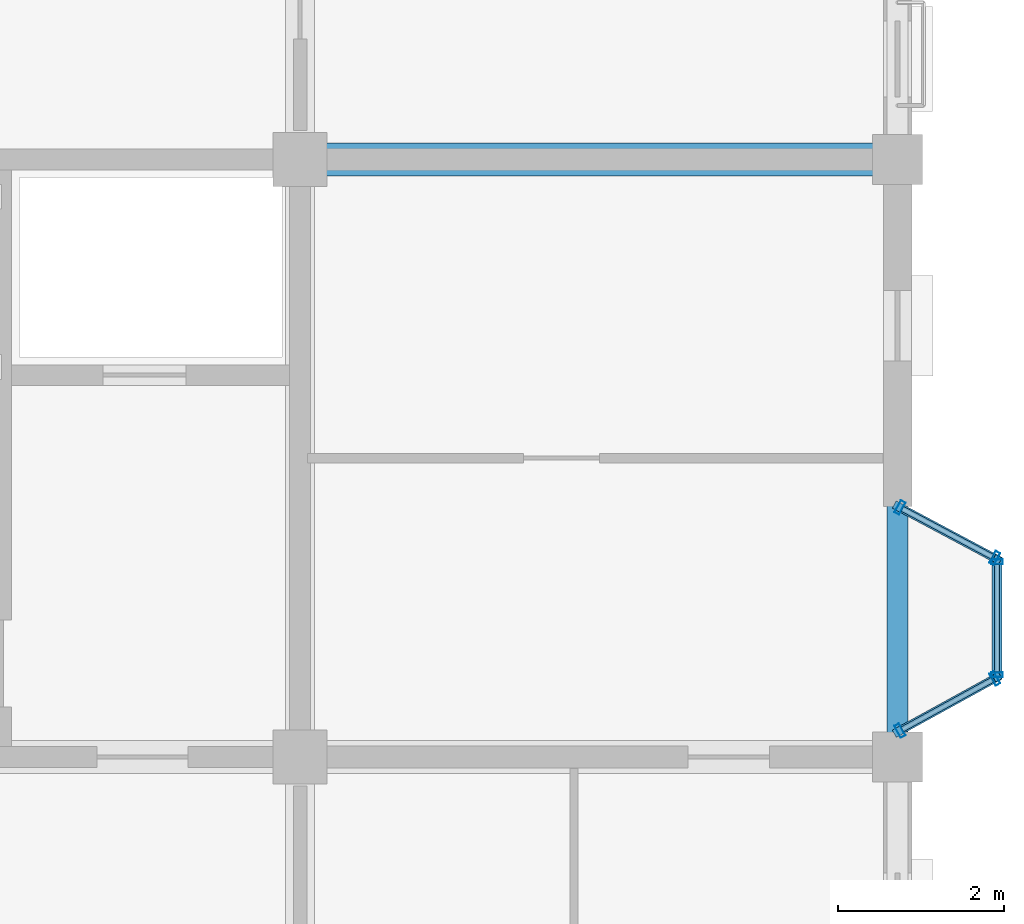
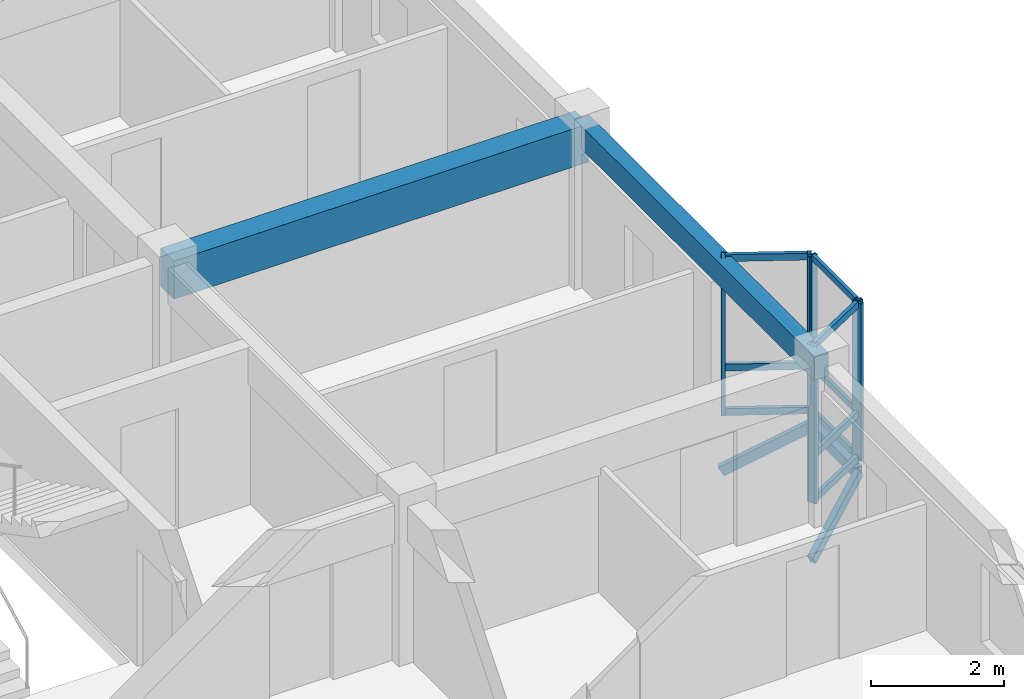
# One storey, part 55 of 124: 18 members, 2 beams, 3 elements without a shape of their own.
"""IFC4 building model written with IfcOpenShell, lengths in metres."""

from ifc_helpers import new_model, si_unit, direction, frame, origin, origin_2d, place, context, subcontext, project, spatial, rectangle, hollow_rectangle, extrude, material, layer, layer_set, material_profile, profile_set, type_object, element, aggregate, save


model = new_model("IFC4")

# Units and contexts
model_context = context("Model", 3, precision=1e-05, world=origin(), true_north=direction((0.0, 1.0)))
body_context = subcontext(model_context, "Body", "Model", "MODEL_VIEW")
ifc_project = project(units=[si_unit("LENGTHUNIT", "METRE"), si_unit("AREAUNIT", "SQUARE_METRE"), si_unit("VOLUMEUNIT", "CUBIC_METRE"), si_unit("PLANEANGLEUNIT", "RADIAN"), si_unit("MASSUNIT", "GRAM", prefix="KILO"), si_unit("THERMODYNAMICTEMPERATUREUNIT", "KELVIN"), si_unit("POWERUNIT", "WATT")], contexts=[model_context])

# Site, building, storey
site_placement = place(None, origin())
site = spatial("IfcSite", under=ifc_project, at=site_placement, CompositionType="ELEMENT")
building_placement = place(site_placement, origin())
building = spatial("IfcBuilding", under=site, at=building_placement, Name="Tavuni Mirador Residences", CompositionType="ELEMENT")
storey_placement = place(building_placement, frame((0.0, 0.0, 7.64990234375)))
storey = spatial("IfcBuildingStorey", under=building, at=storey_placement, Name="L02", CompositionType="ELEMENT", Elevation=7.64990234375)

# Beams
ifc_material_1 = material(Name="Precast concrete C40/50", Category="concrete")
ifc_material_profile_1 = material_profile(ifc_material_1, rectangle(XDim=0.39990234375, YDim=0.699951171875, at=origin_2d()), Name="PC 400x700", Category="concrete")
ifc_profile_set_1 = profile_set([ifc_material_profile_1], Name="Precast concrete C40/50")
beam_type_1 = type_object("IfcBeamType", Name="BT-B700", PredefinedType="BEAM", material=ifc_profile_set_1)
beam_1_placement = place(storey_placement, frame((111.60009765625, 115.199951171875, 2.5400390625), z_axis=(1.0, 0.0, 0.0), x_axis=(0.0, 1.0, 0.0)))
element("IfcBeam", 1, at=beam_1_placement, inside=storey, type_object=beam_type_1, Name="BMX-BLK-D-L02-03-04", PredefinedType="BEAM", context=body_context, shape_type="SweptSolid", body=[
    extrude(rectangle(XDim=0.39990234375, YDim=0.699951171875, at=origin_2d()), origin(), (0.0, 0.0, 1.0), 7.199951171875),
])
ifc_material_profile_2 = material_profile(ifc_material_1, rectangle(XDim=0.25, YDim=0.419921875, at=origin_2d()), Name="PC 250x420", Category="concrete")
ifc_profile_set_2 = profile_set([ifc_material_profile_2], Name="Precast concrete C40/50")
beam_type_2 = type_object("IfcBeamType", Name="BT-SP420", PredefinedType="SPANDREL", material=ifc_profile_set_2)
beam_2_placement = place(storey_placement, frame((118.800048828125, 108.0, 2.68017578125), z_axis=(0.0, 1.0, 0.0), x_axis=(-1.0, 0.0, 0.0)))
element("IfcBeam", 2, at=beam_2_placement, inside=storey, type_object=beam_type_2, Name="BMY-BLK-D-L02-04-03", PredefinedType="SPANDREL", context=body_context, shape_type="SweptSolid", body=[
    extrude(rectangle(XDim=0.25, YDim=0.419921875, at=origin_2d()), origin(), (0.0, 0.0, 1.0), 7.199951171875),
])

# Curtain wall, members
ifc_material_2 = material(Name="Anodised aluminium", Category="aluminium")
ifc_layer_1 = layer(ifc_material_2, 0.175048828125, Name="Anodised aluminium", Category="aluminium")
ifc_layer_set_1 = layer_set([ifc_layer_1], Name="Anodised aluminium")
curtain_wall_type_1 = type_object("IfcCurtainWallType", Name="CWT-MIR-C", PredefinedType="NOTDEFINED", material=ifc_layer_set_1)
curtain_wall_1_placement = place(storey_placement, origin())
curtain_wall_1 = element("IfcCurtainWall", 3, at=curtain_wall_1_placement, inside=storey, type_object=curtain_wall_type_1, Name="CW-MIR-D-E2-L02-MF", PredefinedType="NOTDEFINED")
ifc_material_profile_3 = material_profile(ifc_material_2, hollow_rectangle(XDim=0.06005859375, YDim=0.139892578125, WallThickness=0.00390625, at=origin_2d()), Name="ALU 60x140x4.0", Category="aluminium")
ifc_profile_set_3 = profile_set([ifc_material_profile_3], Name="Anodised aluminium")
member_type_1 = type_object("IfcMemberType", Name="CWM-140", PredefinedType="MULLION", material=ifc_profile_set_3)
member_1_placement = place(storey_placement, frame((120.0, 108.989990234375, 0.0), z_axis=(0.0, 0.0, 1.0), x_axis=(0.0, 1.0, 0.0)))
member_1 = element("IfcMember", 4, at=member_1_placement, type_object=member_type_1, Name="CW-03 mullion 1", PredefinedType="MULLION", context=body_context, shape_type="SweptSolid", body=[
    extrude(hollow_rectangle(XDim=0.06005859375, YDim=0.139892578125, WallThickness=0.00390625, at=origin_2d()), origin(), (0.0, 0.0, 1.0), 2.89013671875),
])
member_2_placement = place(storey_placement, frame((120.0, 110.35009765625, 0.0), z_axis=(0.0, 0.0, 1.0), x_axis=(0.0, 1.0, 0.0)))
member_2 = element("IfcMember", 5, at=member_2_placement, type_object=member_type_1, Name="CW-03 mullion 2", PredefinedType="MULLION", context=body_context, shape_type="SweptSolid", body=[
    extrude(hollow_rectangle(XDim=0.06005859375, YDim=0.139892578125, WallThickness=0.00390625, at=origin_2d()), origin(), (0.0, 0.0, 1.0), 2.89013671875),
])

ifc_layer_2 = layer(ifc_material_2, 0.14990234375, Name="Anodised aluminium", Category="aluminium")
ifc_layer_set_2 = layer_set([ifc_layer_2], Name="Anodised aluminium")
curtain_wall_type_2 = type_object("IfcCurtainWallType", Name="CWT-MIR-B", PredefinedType="NOTDEFINED", material=ifc_layer_set_2)
curtain_wall_2_placement = place(storey_placement, origin())
curtain_wall_2 = element("IfcCurtainWall", 6, at=curtain_wall_2_placement, inside=storey, type_object=curtain_wall_type_2, Name="CW-MIR-D-E2-L02-M1", PredefinedType="NOTDEFINED")
ifc_material_profile_4 = material_profile(ifc_material_2, hollow_rectangle(XDim=0.06494140625, YDim=0.1650390625, WallThickness=0.00439453125, at=origin_2d()), Name="ALU 65x165x4.5", Category="aluminium")
ifc_profile_set_4 = profile_set([ifc_material_profile_4], Name="Anodised aluminium")
member_type_2 = type_object("IfcMemberType", Name="CWM-165", PredefinedType="MULLION", material=ifc_profile_set_4)
member_3_placement = place(storey_placement, frame((118.828369140625, 108.315673828125, 0.0), z_axis=(0.0, 0.0, 1.0), x_axis=(0.876215908676, 0.481918749773, 0.0)))
member_3 = element("IfcMember", 7, at=member_3_placement, type_object=member_type_2, Name="CW-02 mullion 1", PredefinedType="MULLION", context=body_context, shape_type="SweptSolid", body=[
    extrude(hollow_rectangle(XDim=0.06494140625, YDim=0.1650390625, WallThickness=0.00439453125, at=origin_2d()), origin(), (0.0, 0.0, 1.0), 2.89013671875),
])
member_4_placement = place(storey_placement, frame((119.971435546875, 108.9443359375, 0.0), z_axis=(0.0, 0.0, 1.0), x_axis=(0.876215908676, 0.481918749773, 0.0)))
member_4 = element("IfcMember", 8, at=member_4_placement, type_object=member_type_2, Name="CW-02 mullion 2", PredefinedType="MULLION", context=body_context, shape_type="SweptSolid", body=[
    extrude(hollow_rectangle(XDim=0.06494140625, YDim=0.1650390625, WallThickness=0.00439453125, at=origin_2d()), origin(), (0.0, 0.0, 1.0), 2.89013671875),
])

ifc_layer_3 = layer(ifc_material_2, 0.159912109375, Name="Anodised aluminium", Category="aluminium")
ifc_layer_set_3 = layer_set([ifc_layer_3], Name="Anodised aluminium")
curtain_wall_type_3 = type_object("IfcCurtainWallType", Name="CWT-MIR-D", PredefinedType="NOTDEFINED", material=ifc_layer_set_3)
curtain_wall_3_placement = place(storey_placement, origin())
curtain_wall_3 = element("IfcCurtainWall", 9, at=curtain_wall_3_placement, inside=storey, type_object=curtain_wall_type_3, Name="CW-MIR-D-E2-L02-M2", PredefinedType="NOTDEFINED")
member_5_placement = place(storey_placement, frame((119.971435546875, 110.395263671875, 0.0), z_axis=(0.0, 0.0, 1.0), x_axis=(-0.882352941175, 0.470588235296, 0.0)))
member_5 = element("IfcMember", 10, at=member_5_placement, type_object=member_type_2, Name="CW-04 mullion 1", PredefinedType="MULLION", context=body_context, shape_type="SweptSolid", body=[
    extrude(hollow_rectangle(XDim=0.06494140625, YDim=0.1650390625, WallThickness=0.00439453125, at=origin_2d()), origin(), (0.0, 0.0, 1.0), 2.89013671875),
])
member_6_placement = place(storey_placement, frame((118.82861328125, 111.004638671875, 0.0), z_axis=(0.0, 0.0, 1.0), x_axis=(-0.882352941175, 0.470588235296, 0.0)))
member_6 = element("IfcMember", 11, at=member_6_placement, type_object=member_type_2, Name="CW-04 mullion 2", PredefinedType="MULLION", context=body_context, shape_type="SweptSolid", body=[
    extrude(hollow_rectangle(XDim=0.06494140625, YDim=0.1650390625, WallThickness=0.00439453125, at=origin_2d()), origin(), (0.0, 0.0, 1.0), 2.89013671875),
])

# Member
ifc_material_profile_5 = material_profile(ifc_material_2, hollow_rectangle(XDim=0.06005859375, YDim=0.110107421875, WallThickness=0.00390625, at=origin_2d()), Name="ALU 60x110x4.0", Category="aluminium")
ifc_profile_set_5 = profile_set([ifc_material_profile_5], Name="Anodised aluminium")
member_type_3 = type_object("IfcMemberType", Name="CWT-110", PredefinedType="USERDEFINED", material=ifc_profile_set_5)
member_7_placement = place(storey_placement, frame((120.0, 109.02001953125, 0.030029296875), z_axis=(0.0, 1.0, 0.0), x_axis=(-1.0, 0.0, 0.0)))
member_7 = element("IfcMember", 12, at=member_7_placement, type_object=member_type_3, Name="CW-03 transom 1.1", ObjectType="TRANSOM", PredefinedType="USERDEFINED", context=body_context, shape_type="SweptSolid", body=[
    extrude(hollow_rectangle(XDim=0.06005859375, YDim=0.110107421875, WallThickness=0.00390625, at=origin_2d()), origin(), (0.0, 0.0, 1.0), 1.300048828125),
])

member_8_placement = place(storey_placement, frame((120.0, 109.02001953125, 0.85009765625), z_axis=(0.0, 1.0, 0.0), x_axis=(-1.0, 0.0, 0.0)))
member_8 = element("IfcMember", 13, at=member_8_placement, type_object=member_type_3, Name="CW-03 transom 1.2", ObjectType="TRANSOM", PredefinedType="USERDEFINED", context=body_context, shape_type="SweptSolid", body=[
    extrude(hollow_rectangle(XDim=0.06005859375, YDim=0.110107421875, WallThickness=0.00390625, at=origin_2d()), origin(), (0.0, 0.0, 1.0), 1.300048828125),
])

member_9_placement = place(storey_placement, frame((120.0, 109.02001953125, 2.860107421875), z_axis=(0.0, 1.0, 0.0), x_axis=(-1.0, 0.0, 0.0)))
member_9 = element("IfcMember", 14, at=member_9_placement, type_object=member_type_3, Name="CW-03 transom 1.3", ObjectType="TRANSOM", PredefinedType="USERDEFINED", context=body_context, shape_type="SweptSolid", body=[
    extrude(hollow_rectangle(XDim=0.06005859375, YDim=0.110107421875, WallThickness=0.00390625, at=origin_2d()), origin(), (0.0, 0.0, 1.0), 1.300048828125),
])

aggregate(curtain_wall_1, [member_1, member_2, member_7, member_8, member_9])

ifc_material_profile_6 = material_profile(ifc_material_2, hollow_rectangle(XDim=0.06494140625, YDim=0.125, WallThickness=0.00439453125, at=origin_2d()), Name="ALU 65x125x4.5", Category="aluminium")
ifc_profile_set_6 = profile_set([ifc_material_profile_6], Name="Anodised aluminium")
member_type_4 = type_object("IfcMemberType", Name="CWT-125", PredefinedType="USERDEFINED", material=ifc_profile_set_6)
member_10_placement = place(storey_placement, frame((118.85693359375, 108.331298828125, 0.03271484375), z_axis=(0.87621175048, 0.481926310053, 0.0), x_axis=(-0.481926310053, 0.87621175048, 0.0)))
member_10 = element("IfcMember", 15, at=member_10_placement, type_object=member_type_4, Name="CW-02 transom 1.1", ObjectType="TRANSOM", PredefinedType="USERDEFINED", context=body_context, shape_type="SweptSolid", body=[
    extrude(hollow_rectangle(XDim=0.06494140625, YDim=0.125, WallThickness=0.00439453125, at=origin_2d()), origin(), (0.0, 0.0, 1.0), 1.23974609375),
])

member_11_placement = place(storey_placement, frame((118.85693359375, 108.331298828125, 0.85009765625), z_axis=(0.87621175048, 0.481926310053, 0.0), x_axis=(-0.481926310053, 0.87621175048, 0.0)))
member_11 = element("IfcMember", 16, at=member_11_placement, type_object=member_type_4, Name="CW-02 transom 1.2", ObjectType="TRANSOM", PredefinedType="USERDEFINED", context=body_context, shape_type="SweptSolid", body=[
    extrude(hollow_rectangle(XDim=0.06494140625, YDim=0.125, WallThickness=0.00439453125, at=origin_2d()), origin(), (0.0, 0.0, 1.0), 1.23974609375),
])

member_12_placement = place(storey_placement, frame((118.85693359375, 108.331298828125, 2.857666015625), z_axis=(0.87621175048, 0.481926310053, 0.0), x_axis=(-0.481926310053, 0.87621175048, 0.0)))
member_12 = element("IfcMember", 17, at=member_12_placement, type_object=member_type_4, Name="CW-02 transom 1.3", ObjectType="TRANSOM", PredefinedType="USERDEFINED", context=body_context, shape_type="SweptSolid", body=[
    extrude(hollow_rectangle(XDim=0.06494140625, YDim=0.125, WallThickness=0.00439453125, at=origin_2d()), origin(), (0.0, 0.0, 1.0), 1.23974609375),
])

aggregate(curtain_wall_2, [member_3, member_4, member_10, member_11, member_12])

member_13_placement = place(storey_placement, frame((119.942626953125, 110.41064453125, 0.03271484375), z_axis=(-0.882325465843, 0.470639747922, 0.0), x_axis=(-0.470639747922, -0.882325465843, 0.0)))
member_13 = element("IfcMember", 18, at=member_13_placement, type_object=member_type_4, Name="CW-04 transom 1.1", ObjectType="TRANSOM", PredefinedType="USERDEFINED", context=body_context, shape_type="SweptSolid", body=[
    extrude(hollow_rectangle(XDim=0.06494140625, YDim=0.125, WallThickness=0.00439453125, at=origin_2d()), origin(), (0.0, 0.0, 1.0), 1.22998046875),
])

member_14_placement = place(storey_placement, frame((119.942626953125, 110.41064453125, 0.85009765625), z_axis=(-0.882325465843, 0.470639747922, 0.0), x_axis=(-0.470639747922, -0.882325465843, 0.0)))
member_14 = element("IfcMember", 19, at=member_14_placement, type_object=member_type_4, Name="CW-04 transom 1.2", ObjectType="TRANSOM", PredefinedType="USERDEFINED", context=body_context, shape_type="SweptSolid", body=[
    extrude(hollow_rectangle(XDim=0.06494140625, YDim=0.125, WallThickness=0.00439453125, at=origin_2d()), origin(), (0.0, 0.0, 1.0), 1.22998046875),
])

member_15_placement = place(storey_placement, frame((119.942626953125, 110.41064453125, 2.857666015625), z_axis=(-0.882325465843, 0.470639747922, 0.0), x_axis=(-0.470639747922, -0.882325465843, 0.0)))
member_15 = element("IfcMember", 20, at=member_15_placement, type_object=member_type_4, Name="CW-04 transom 1.3", ObjectType="TRANSOM", PredefinedType="USERDEFINED", context=body_context, shape_type="SweptSolid", body=[
    extrude(hollow_rectangle(XDim=0.06494140625, YDim=0.125, WallThickness=0.00439453125, at=origin_2d()), origin(), (0.0, 0.0, 1.0), 1.22998046875),
])

aggregate(curtain_wall_3, [member_5, member_6, member_13, member_14, member_15])

# Members
ifc_material_3 = material(Name="Structural steel S355", Category="steel")
ifc_material_profile_7 = material_profile(ifc_material_3, hollow_rectangle(XDim=0.10009765625, YDim=0.179931640625, WallThickness=0.008056640625, at=origin_2d()), Name="RHS 180x100x8.0", Category="steel")
ifc_profile_set_7 = profile_set([ifc_material_profile_7], Name="Structural steel S355")
member_type_5 = type_object("IfcMemberType", Name="MT-BR-RHS180", PredefinedType="BRACE", material=ifc_profile_set_7)
member_16_placement = place(storey_placement, frame((118.800048828125, 108.300048828125, -1.0498046875), z_axis=(0.75904589492, 0.417436633564, 0.499595823004), x_axis=(-0.481884531043, 0.876234728108, 0.0)))
element("IfcMember", 21, at=member_16_placement, inside=storey, type_object=member_type_5, Name="MBRK-MIR-D-E2-L02-1", PredefinedType="BRACE", context=body_context, shape_type="SweptSolid", body=[
    extrude(hollow_rectangle(XDim=0.10009765625, YDim=0.179931640625, WallThickness=0.008056640625, at=origin_2d()), origin(), (0.0, 0.0, 1.0), 1.580810546875),
])
member_17_placement = place(storey_placement, frame((118.800048828125, 111.02001953125, -1.0498046875), z_axis=(0.762980474463, -0.407026409775, 0.502185520832), x_axis=(0.470681405175, 0.882303244255, 0.0)))
element("IfcMember", 22, at=member_17_placement, inside=storey, type_object=member_type_5, Name="MBRK-MIR-D-E2-L02-2", PredefinedType="BRACE", context=body_context, shape_type="SweptSolid", body=[
    extrude(hollow_rectangle(XDim=0.10009765625, YDim=0.179931640625, WallThickness=0.008056640625, at=origin_2d()), origin(), (0.0, 0.0, 1.0), 1.57275390625),
])
ifc_material_profile_8 = material_profile(ifc_material_3, hollow_rectangle(XDim=0.1201171875, YDim=0.199951171875, WallThickness=0.010009765625, at=origin_2d()), Name="RHS 200x120x10.0", Category="steel")
ifc_profile_set_8 = profile_set([ifc_material_profile_8], Name="Structural steel S355")
member_type_6 = type_object("IfcMemberType", Name="MT-ST-RHS200", PredefinedType="STRUT", material=ifc_profile_set_8)
member_18_placement = place(storey_placement, frame((120.0, 108.9599609375, -0.260009765625), z_axis=(0.0, 1.0, 0.0), x_axis=(-1.0, 0.0, 0.0)))
element("IfcMember", 23, at=member_18_placement, inside=storey, type_object=member_type_6, Name="MRIM-MIR-D-E2-L02", PredefinedType="STRUT", context=body_context, shape_type="SweptSolid", body=[
    extrude(hollow_rectangle(XDim=0.1201171875, YDim=0.199951171875, WallThickness=0.010009765625, at=origin_2d()), origin(), (0.0, 0.0, 1.0), 1.419921875),
])

save(model, "model.ifc")
